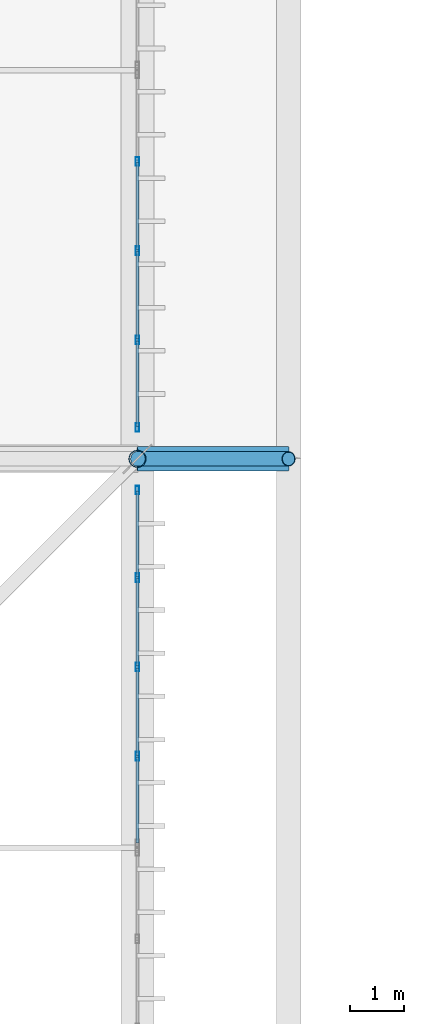
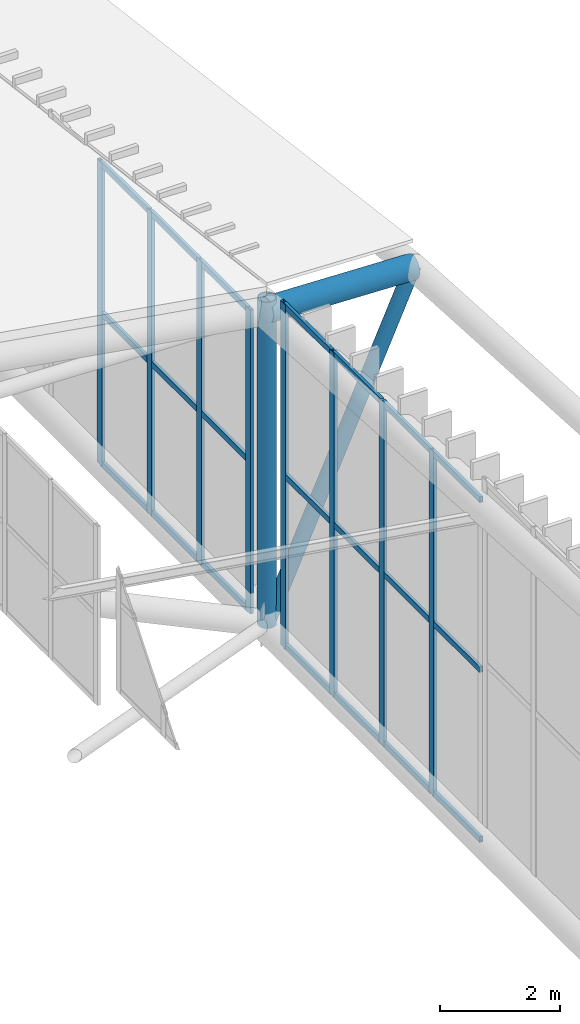
# One storey, part 295 of 397: 31 members, 1 beam, 2 elements without a shape of their own.
"""IFC4 building model written with IfcOpenShell, lengths in metres."""

from ifc_helpers import new_model, si_unit, direction, frame, origin, origin_2d, place, context, subcontext, project, spatial, hollow_rectangle, hollow_circle, extrude, material, material_profile, profile_set, type_object, element, aggregate, save


model = new_model("IFC4")

# Units and contexts
model_context = context("Model", 3, precision=1e-05, world=origin(), true_north=direction((0.0, 1.0)))
body_context = subcontext(model_context, "Body", "Model", "MODEL_VIEW")
ifc_project = project(units=[si_unit("LENGTHUNIT", "METRE"), si_unit("AREAUNIT", "SQUARE_METRE"), si_unit("VOLUMEUNIT", "CUBIC_METRE"), si_unit("PLANEANGLEUNIT", "RADIAN"), si_unit("MASSUNIT", "GRAM", prefix="KILO")], contexts=[model_context])

# Site, building, storey
site_placement = place(None, origin())
site = spatial("IfcSite", under=ifc_project, at=site_placement, CompositionType="ELEMENT")
building_placement = place(site_placement, origin())
building = spatial("IfcBuilding", under=site, at=building_placement, Name="Qandorah Velis Arena", CompositionType="ELEMENT")
storey_placement = place(building_placement, frame((0.0, 0.0, 27.5)))
storey = spatial("IfcBuildingStorey", under=building, at=storey_placement, Name="RF", CompositionType="ELEMENT", Elevation=27.5)

# Curtain wall, members
ifc_material_1 = material(Name="Solar-control low-E double glazing", Category="glass")
curtain_wall_type = type_object("IfcCurtainWallType", Name="ARC-CW-SYS15", PredefinedType="USERDEFINED", material=ifc_material_1)
curtain_wall_1_placement = place(storey_placement, origin())
curtain_wall_1 = element("IfcCurtainWall", 1, at=curtain_wall_1_placement, inside=storey, type_object=curtain_wall_type, Name="Unitised curtain wall CROWN-2-06S2", ObjectType="UNITISED CURTAIN WALL", PredefinedType="USERDEFINED")
ifc_material_2 = material(Name="Champagne-bronze anodized aluminium 6063-T6", Category="aluminium")
ifc_material_profile_1 = material_profile(ifc_material_2, hollow_rectangle(XDim=0.06005859375, YDim=0.159912109375, WallThickness=0.00341796875, at=origin_2d()), Name="ALU MULLION 60x160")
ifc_profile_set_1 = profile_set([ifc_material_profile_1], Name="Champagne-bronze anodized aluminium 6063-T6")
member_type_1 = type_object("IfcMemberType", Name="ARC-CWM-160", PredefinedType="MULLION", material=ifc_profile_set_1)
member_1_placement = place(storey_placement, frame((115.199951171875, 80.892578125, -0.014892578125), z_axis=(0.0, 0.0, 1.0), x_axis=(-1.0, 0.0, 0.0)))
member_1 = element("IfcMember", 2, at=member_1_placement, type_object=member_type_1, Name="CW15 mullion 2", PredefinedType="MULLION", context=body_context, shape_type="SweptSolid", body=[
    extrude(hollow_rectangle(XDim=0.06005859375, YDim=0.159912109375, WallThickness=0.00341796875, at=origin_2d()), origin(), (0.0, 0.0, 1.0), 6.9765625),
])
member_2_placement = place(storey_placement, frame((115.199951171875, 82.544921875, -0.014892578125), z_axis=(0.0, 0.0, 1.0), x_axis=(-1.0, 0.0, 0.0)))
member_2 = element("IfcMember", 3, at=member_2_placement, type_object=member_type_1, Name="CW15 mullion 3", PredefinedType="MULLION", context=body_context, shape_type="SweptSolid", body=[
    extrude(hollow_rectangle(XDim=0.06005859375, YDim=0.159912109375, WallThickness=0.00341796875, at=origin_2d()), origin(), (0.0, 0.0, 1.0), 6.9765625),
])
member_3_placement = place(storey_placement, frame((115.199951171875, 84.197509765625, -0.014892578125), z_axis=(0.0, 0.0, 1.0), x_axis=(-1.0, 0.0, 0.0)))
member_3 = element("IfcMember", 4, at=member_3_placement, type_object=member_type_1, Name="CW15 mullion 4", PredefinedType="MULLION", context=body_context, shape_type="SweptSolid", body=[
    extrude(hollow_rectangle(XDim=0.06005859375, YDim=0.159912109375, WallThickness=0.00341796875, at=origin_2d()), origin(), (0.0, 0.0, 1.0), 6.9765625),
])
member_4_placement = place(storey_placement, frame((115.199951171875, 85.820068359375, -0.014892578125), z_axis=(0.0, 0.0, 1.0), x_axis=(-1.0, 0.0, 0.0)))
member_4 = element("IfcMember", 5, at=member_4_placement, type_object=member_type_1, Name="CW15 mullion 5", PredefinedType="MULLION", context=body_context, shape_type="SweptSolid", body=[
    extrude(hollow_rectangle(XDim=0.06005859375, YDim=0.159912109375, WallThickness=0.00341796875, at=origin_2d()), origin(), (0.0, 0.0, 1.0), 6.9765625),
])

curtain_wall_2_placement = place(storey_placement, origin())
curtain_wall_2 = element("IfcCurtainWall", 6, at=curtain_wall_2_placement, inside=storey, type_object=curtain_wall_type, Name="Unitised curtain wall CROWN-2-07S1", ObjectType="UNITISED CURTAIN WALL", PredefinedType="USERDEFINED")
member_5_placement = place(storey_placement, frame((115.199951171875, 86.97998046875, -0.014892578125), z_axis=(0.0, 0.0, 1.0), x_axis=(-1.0, 0.0, 0.0)))
member_5 = element("IfcMember", 7, at=member_5_placement, type_object=member_type_1, Name="CW15 mullion 1", PredefinedType="MULLION", context=body_context, shape_type="SweptSolid", body=[
    extrude(hollow_rectangle(XDim=0.06005859375, YDim=0.159912109375, WallThickness=0.00341796875, at=origin_2d()), origin(), (0.0, 0.0, 1.0), 6.159423828125),
])
member_6_placement = place(storey_placement, frame((115.199951171875, 88.6025390625, -0.014892578125), z_axis=(0.0, 0.0, 1.0), x_axis=(-1.0, 0.0, 0.0)))
member_6 = element("IfcMember", 8, at=member_6_placement, type_object=member_type_1, Name="CW15 mullion 2", PredefinedType="MULLION", context=body_context, shape_type="SweptSolid", body=[
    extrude(hollow_rectangle(XDim=0.06005859375, YDim=0.159912109375, WallThickness=0.00341796875, at=origin_2d()), origin(), (0.0, 0.0, 1.0), 6.159423828125),
])
member_7_placement = place(storey_placement, frame((115.199951171875, 90.2548828125, -0.014892578125), z_axis=(0.0, 0.0, 1.0), x_axis=(-1.0, 0.0, 0.0)))
member_7 = element("IfcMember", 9, at=member_7_placement, type_object=member_type_1, Name="CW15 mullion 3", PredefinedType="MULLION", context=body_context, shape_type="SweptSolid", body=[
    extrude(hollow_rectangle(XDim=0.06005859375, YDim=0.159912109375, WallThickness=0.00341796875, at=origin_2d()), origin(), (0.0, 0.0, 1.0), 6.159423828125),
])
member_8_placement = place(storey_placement, frame((115.199951171875, 91.907470703125, -0.014892578125), z_axis=(0.0, 0.0, 1.0), x_axis=(-1.0, 0.0, 0.0)))
member_8 = element("IfcMember", 10, at=member_8_placement, type_object=member_type_1, Name="CW15 mullion 4", PredefinedType="MULLION", context=body_context, shape_type="SweptSolid", body=[
    extrude(hollow_rectangle(XDim=0.06005859375, YDim=0.159912109375, WallThickness=0.00341796875, at=origin_2d()), origin(), (0.0, 0.0, 1.0), 6.159423828125),
])

# Member
ifc_material_profile_2 = material_profile(ifc_material_2, hollow_rectangle(XDim=0.06005859375, YDim=0.1201171875, WallThickness=0.0029296875, at=origin_2d()), Name="ALU TRANSOM 60x120")
ifc_profile_set_2 = profile_set([ifc_material_profile_2], Name="Champagne-bronze anodized aluminium 6063-T6")
member_type_2 = type_object("IfcMemberType", Name="ARC-CWT-120", PredefinedType="USERDEFINED", material=ifc_profile_set_2)
member_9_placement = place(storey_placement, frame((115.199951171875, 79.2880859375, 0.030029296875), z_axis=(0.0, 1.0, 0.0), x_axis=(-1.0, 0.0, 0.0)))
member_9 = element("IfcMember", 11, at=member_9_placement, type_object=member_type_2, Name="CW15 transom 1.1", ObjectType="TRANSOM", PredefinedType="USERDEFINED", context=body_context, shape_type="SweptSolid", body=[
    extrude(hollow_rectangle(XDim=0.06005859375, YDim=0.1201171875, WallThickness=0.0029296875, at=origin_2d()), origin(), (0.0, 0.0, 1.0), 1.58642578125),
])

member_10_placement = place(storey_placement, frame((115.199951171875, 79.2880859375, 3.473388671875), z_axis=(0.0, 1.0, 0.0), x_axis=(-1.0, 0.0, 0.0)))
member_10 = element("IfcMember", 12, at=member_10_placement, type_object=member_type_2, Name="CW15 transom 1.2", ObjectType="TRANSOM", PredefinedType="USERDEFINED", context=body_context, shape_type="SweptSolid", body=[
    extrude(hollow_rectangle(XDim=0.06005859375, YDim=0.1201171875, WallThickness=0.0029296875, at=origin_2d()), origin(), (0.0, 0.0, 1.0), 1.58642578125),
])

member_11_placement = place(storey_placement, frame((115.199951171875, 79.2880859375, 6.916748046875), z_axis=(0.0, 1.0, 0.0), x_axis=(-1.0, 0.0, 0.0)))
member_11 = element("IfcMember", 13, at=member_11_placement, type_object=member_type_2, Name="CW15 transom 1.3", ObjectType="TRANSOM", PredefinedType="USERDEFINED", context=body_context, shape_type="SweptSolid", body=[
    extrude(hollow_rectangle(XDim=0.06005859375, YDim=0.1201171875, WallThickness=0.0029296875, at=origin_2d()), origin(), (0.0, 0.0, 1.0), 1.58642578125),
])

member_12_placement = place(storey_placement, frame((115.199951171875, 80.910400390625, 0.030029296875), z_axis=(0.0, 1.0, 0.0), x_axis=(-1.0, 0.0, 0.0)))
member_12 = element("IfcMember", 14, at=member_12_placement, type_object=member_type_2, Name="CW15 transom 2.1", ObjectType="TRANSOM", PredefinedType="USERDEFINED", context=body_context, shape_type="SweptSolid", body=[
    extrude(hollow_rectangle(XDim=0.06005859375, YDim=0.1201171875, WallThickness=0.0029296875, at=origin_2d()), origin(), (0.0, 0.0, 1.0), 1.61669921875),
])

member_13_placement = place(storey_placement, frame((115.199951171875, 80.910400390625, 3.473388671875), z_axis=(0.0, 1.0, 0.0), x_axis=(-1.0, 0.0, 0.0)))
member_13 = element("IfcMember", 15, at=member_13_placement, type_object=member_type_2, Name="CW15 transom 2.2", ObjectType="TRANSOM", PredefinedType="USERDEFINED", context=body_context, shape_type="SweptSolid", body=[
    extrude(hollow_rectangle(XDim=0.06005859375, YDim=0.1201171875, WallThickness=0.0029296875, at=origin_2d()), origin(), (0.0, 0.0, 1.0), 1.61669921875),
])

member_14_placement = place(storey_placement, frame((115.199951171875, 80.910400390625, 6.916748046875), z_axis=(0.0, 1.0, 0.0), x_axis=(-1.0, 0.0, 0.0)))
member_14 = element("IfcMember", 16, at=member_14_placement, type_object=member_type_2, Name="CW15 transom 2.3", ObjectType="TRANSOM", PredefinedType="USERDEFINED", context=body_context, shape_type="SweptSolid", body=[
    extrude(hollow_rectangle(XDim=0.06005859375, YDim=0.1201171875, WallThickness=0.0029296875, at=origin_2d()), origin(), (0.0, 0.0, 1.0), 1.61669921875),
])

member_15_placement = place(storey_placement, frame((115.199951171875, 82.56298828125, 0.030029296875), z_axis=(0.0, 1.0, 0.0), x_axis=(-1.0, 0.0, 0.0)))
member_15 = element("IfcMember", 17, at=member_15_placement, type_object=member_type_2, Name="CW15 transom 3.1", ObjectType="TRANSOM", PredefinedType="USERDEFINED", context=body_context, shape_type="SweptSolid", body=[
    extrude(hollow_rectangle(XDim=0.06005859375, YDim=0.1201171875, WallThickness=0.0029296875, at=origin_2d()), origin(), (0.0, 0.0, 1.0), 1.616455078125),
])

member_16_placement = place(storey_placement, frame((115.199951171875, 82.56298828125, 3.473388671875), z_axis=(0.0, 1.0, 0.0), x_axis=(-1.0, 0.0, 0.0)))
member_16 = element("IfcMember", 18, at=member_16_placement, type_object=member_type_2, Name="CW15 transom 3.2", ObjectType="TRANSOM", PredefinedType="USERDEFINED", context=body_context, shape_type="SweptSolid", body=[
    extrude(hollow_rectangle(XDim=0.06005859375, YDim=0.1201171875, WallThickness=0.0029296875, at=origin_2d()), origin(), (0.0, 0.0, 1.0), 1.616455078125),
])

member_17_placement = place(storey_placement, frame((115.199951171875, 82.56298828125, 6.916748046875), z_axis=(0.0, 1.0, 0.0), x_axis=(-1.0, 0.0, 0.0)))
member_17 = element("IfcMember", 19, at=member_17_placement, type_object=member_type_2, Name="CW15 transom 3.3", ObjectType="TRANSOM", PredefinedType="USERDEFINED", context=body_context, shape_type="SweptSolid", body=[
    extrude(hollow_rectangle(XDim=0.06005859375, YDim=0.1201171875, WallThickness=0.0029296875, at=origin_2d()), origin(), (0.0, 0.0, 1.0), 1.616455078125),
])

member_18_placement = place(storey_placement, frame((115.199951171875, 84.215576171875, 0.030029296875), z_axis=(0.0, 1.0, 0.0), x_axis=(-1.0, 0.0, 0.0)))
member_18 = element("IfcMember", 20, at=member_18_placement, type_object=member_type_2, Name="CW15 transom 4.1", ObjectType="TRANSOM", PredefinedType="USERDEFINED", context=body_context, shape_type="SweptSolid", body=[
    extrude(hollow_rectangle(XDim=0.06005859375, YDim=0.1201171875, WallThickness=0.0029296875, at=origin_2d()), origin(), (0.0, 0.0, 1.0), 1.58642578125),
])

member_19_placement = place(storey_placement, frame((115.199951171875, 84.215576171875, 3.473388671875), z_axis=(0.0, 1.0, 0.0), x_axis=(-1.0, 0.0, 0.0)))
member_19 = element("IfcMember", 21, at=member_19_placement, type_object=member_type_2, Name="CW15 transom 4.2", ObjectType="TRANSOM", PredefinedType="USERDEFINED", context=body_context, shape_type="SweptSolid", body=[
    extrude(hollow_rectangle(XDim=0.06005859375, YDim=0.1201171875, WallThickness=0.0029296875, at=origin_2d()), origin(), (0.0, 0.0, 1.0), 1.58642578125),
])

member_20_placement = place(storey_placement, frame((115.199951171875, 84.215576171875, 6.916748046875), z_axis=(0.0, 1.0, 0.0), x_axis=(-1.0, 0.0, 0.0)))
member_20 = element("IfcMember", 22, at=member_20_placement, type_object=member_type_2, Name="CW15 transom 4.3", ObjectType="TRANSOM", PredefinedType="USERDEFINED", context=body_context, shape_type="SweptSolid", body=[
    extrude(hollow_rectangle(XDim=0.06005859375, YDim=0.1201171875, WallThickness=0.0029296875, at=origin_2d()), origin(), (0.0, 0.0, 1.0), 1.58642578125),
])

aggregate(curtain_wall_1, [member_1, member_2, member_3, member_4, member_9, member_10, member_11, member_12, member_13, member_14, member_15, member_16, member_17, member_18, member_19, member_20])

member_21_placement = place(storey_placement, frame((115.199951171875, 86.998046875, 0.030029296875), z_axis=(0.0, 1.0, 0.0), x_axis=(-1.0, 0.0, 0.0)))
member_21 = element("IfcMember", 23, at=member_21_placement, type_object=member_type_2, Name="CW15 transom 1.1", ObjectType="TRANSOM", PredefinedType="USERDEFINED", context=body_context, shape_type="SweptSolid", body=[
    extrude(hollow_rectangle(XDim=0.06005859375, YDim=0.1201171875, WallThickness=0.0029296875, at=origin_2d()), origin(), (0.0, 0.0, 1.0), 1.58642578125),
])

member_22_placement = place(storey_placement, frame((115.199951171875, 86.998046875, 3.064697265625), z_axis=(0.0, 1.0, 0.0), x_axis=(-1.0, 0.0, 0.0)))
member_22 = element("IfcMember", 24, at=member_22_placement, type_object=member_type_2, Name="CW15 transom 1.2", ObjectType="TRANSOM", PredefinedType="USERDEFINED", context=body_context, shape_type="SweptSolid", body=[
    extrude(hollow_rectangle(XDim=0.06005859375, YDim=0.1201171875, WallThickness=0.0029296875, at=origin_2d()), origin(), (0.0, 0.0, 1.0), 1.58642578125),
])

member_23_placement = place(storey_placement, frame((115.199951171875, 86.998046875, 6.099609375), z_axis=(0.0, 1.0, 0.0), x_axis=(-1.0, 0.0, 0.0)))
member_23 = element("IfcMember", 25, at=member_23_placement, type_object=member_type_2, Name="CW15 transom 1.3", ObjectType="TRANSOM", PredefinedType="USERDEFINED", context=body_context, shape_type="SweptSolid", body=[
    extrude(hollow_rectangle(XDim=0.06005859375, YDim=0.1201171875, WallThickness=0.0029296875, at=origin_2d()), origin(), (0.0, 0.0, 1.0), 1.58642578125),
])

member_24_placement = place(storey_placement, frame((115.199951171875, 88.62060546875, 0.030029296875), z_axis=(0.0, 1.0, 0.0), x_axis=(-1.0, 0.0, 0.0)))
member_24 = element("IfcMember", 26, at=member_24_placement, type_object=member_type_2, Name="CW15 transom 2.1", ObjectType="TRANSOM", PredefinedType="USERDEFINED", context=body_context, shape_type="SweptSolid", body=[
    extrude(hollow_rectangle(XDim=0.06005859375, YDim=0.1201171875, WallThickness=0.0029296875, at=origin_2d()), origin(), (0.0, 0.0, 1.0), 1.616455078125),
])

member_25_placement = place(storey_placement, frame((115.199951171875, 88.62060546875, 3.064697265625), z_axis=(0.0, 1.0, 0.0), x_axis=(-1.0, 0.0, 0.0)))
member_25 = element("IfcMember", 27, at=member_25_placement, type_object=member_type_2, Name="CW15 transom 2.2", ObjectType="TRANSOM", PredefinedType="USERDEFINED", context=body_context, shape_type="SweptSolid", body=[
    extrude(hollow_rectangle(XDim=0.06005859375, YDim=0.1201171875, WallThickness=0.0029296875, at=origin_2d()), origin(), (0.0, 0.0, 1.0), 1.616455078125),
])

member_26_placement = place(storey_placement, frame((115.199951171875, 88.62060546875, 6.099609375), z_axis=(0.0, 1.0, 0.0), x_axis=(-1.0, 0.0, 0.0)))
member_26 = element("IfcMember", 28, at=member_26_placement, type_object=member_type_2, Name="CW15 transom 2.3", ObjectType="TRANSOM", PredefinedType="USERDEFINED", context=body_context, shape_type="SweptSolid", body=[
    extrude(hollow_rectangle(XDim=0.06005859375, YDim=0.1201171875, WallThickness=0.0029296875, at=origin_2d()), origin(), (0.0, 0.0, 1.0), 1.616455078125),
])

member_27_placement = place(storey_placement, frame((115.199951171875, 90.27294921875, 0.030029296875), z_axis=(0.0, 1.0, 0.0), x_axis=(-1.0, 0.0, 0.0)))
member_27 = element("IfcMember", 29, at=member_27_placement, type_object=member_type_2, Name="CW15 transom 3.1", ObjectType="TRANSOM", PredefinedType="USERDEFINED", context=body_context, shape_type="SweptSolid", body=[
    extrude(hollow_rectangle(XDim=0.06005859375, YDim=0.1201171875, WallThickness=0.0029296875, at=origin_2d()), origin(), (0.0, 0.0, 1.0), 1.616455078125),
])

member_28_placement = place(storey_placement, frame((115.199951171875, 90.27294921875, 3.064697265625), z_axis=(0.0, 1.0, 0.0), x_axis=(-1.0, 0.0, 0.0)))
member_28 = element("IfcMember", 30, at=member_28_placement, type_object=member_type_2, Name="CW15 transom 3.2", ObjectType="TRANSOM", PredefinedType="USERDEFINED", context=body_context, shape_type="SweptSolid", body=[
    extrude(hollow_rectangle(XDim=0.06005859375, YDim=0.1201171875, WallThickness=0.0029296875, at=origin_2d()), origin(), (0.0, 0.0, 1.0), 1.616455078125),
])

member_29_placement = place(storey_placement, frame((115.199951171875, 90.27294921875, 6.099609375), z_axis=(0.0, 1.0, 0.0), x_axis=(-1.0, 0.0, 0.0)))
member_29 = element("IfcMember", 31, at=member_29_placement, type_object=member_type_2, Name="CW15 transom 3.3", ObjectType="TRANSOM", PredefinedType="USERDEFINED", context=body_context, shape_type="SweptSolid", body=[
    extrude(hollow_rectangle(XDim=0.06005859375, YDim=0.1201171875, WallThickness=0.0029296875, at=origin_2d()), origin(), (0.0, 0.0, 1.0), 1.616455078125),
])

aggregate(curtain_wall_2, [member_5, member_6, member_7, member_8, member_21, member_22, member_23, member_24, member_25, member_26, member_27, member_28, member_29])

# Beam
ifc_material_3 = material(Name="Steel S355", Category="steel")
ifc_material_profile_3 = material_profile(ifc_material_3, hollow_circle(Radius=0.228515625, WallThickness=0.01611328125, at=origin_2d()), Name="CHS 457x16")
ifc_profile_set_3 = profile_set([ifc_material_profile_3], Name="Steel S355")
beam_type = type_object("IfcBeamType", Name="STR-SFC-CHS457X16", PredefinedType="USERDEFINED", material=ifc_profile_set_3)
beam_placement = place(storey_placement, frame((115.199951171875, 86.39990234375, 6.448486328125), z_axis=(0.99936163275, 0.0, -0.035725718844), x_axis=(0.0, 1.0, 0.0)))
element("IfcBeam", 32, at=beam_placement, inside=storey, type_object=beam_type, Name="Space frame eave outrigger E-5", ObjectType="ROOF TRUSS", PredefinedType="USERDEFINED", context=body_context, shape_type="SweptSolid", body=[
    extrude(hollow_circle(Radius=0.228515625, WallThickness=0.01611328125, at=origin_2d()), origin(), (0.0, 0.0, 1.0), 2.8017578125),
])

# Members
ifc_material_profile_4 = material_profile(ifc_material_3, hollow_circle(Radius=0.136474609375, WallThickness=0.012451171875, at=origin_2d()), Name="CHS 273x12.5")
ifc_profile_set_4 = profile_set([ifc_material_profile_4], Name="Steel S355")
member_type_3 = type_object("IfcMemberType", Name="STR-SFD-CHS273X12", PredefinedType="STRUT", material=ifc_profile_set_4)
member_30_placement = place(storey_placement, frame((115.199951171875, 86.39990234375, 0.10009765625), z_axis=(0.408945330384, 0.0, 0.912558883994), x_axis=(0.0, 1.0, 0.0)))
element("IfcMember", 33, at=member_30_placement, inside=storey, type_object=member_type_3, Name="Space frame eave raking strut E-5", PredefinedType="STRUT", context=body_context, shape_type="SweptSolid", body=[
    extrude(hollow_circle(Radius=0.136474609375, WallThickness=0.012451171875, at=origin_2d()), origin(), (0.0, 0.0, 1.0), 6.846923828125),
])
ifc_material_profile_5 = material_profile(ifc_material_3, hollow_circle(Radius=0.161865234375, WallThickness=0.01611328125, at=origin_2d()), Name="CHS 323.9x16")
ifc_profile_set_5 = profile_set([ifc_material_profile_5], Name="Steel S355")
member_type_4 = type_object("IfcMemberType", Name="STR-SFD-CHS323X16", PredefinedType="CHORD", material=ifc_profile_set_5)
member_31_placement = place(storey_placement, frame((115.199951171875, 86.39990234375, 0.10009765625), z_axis=(0.0, 0.0, 1.0), x_axis=(1.0, 0.0, 0.0)))
element("IfcMember", 34, at=member_31_placement, inside=storey, type_object=member_type_4, Name="Space frame roof vertical post 7.5", PredefinedType="CHORD", context=body_context, shape_type="SweptSolid", body=[
    extrude(hollow_circle(Radius=0.161865234375, WallThickness=0.01611328125, at=origin_2d()), origin(), (0.0, 0.0, 1.0), 6.6083984375),
])

save(model, "model.ifc")
